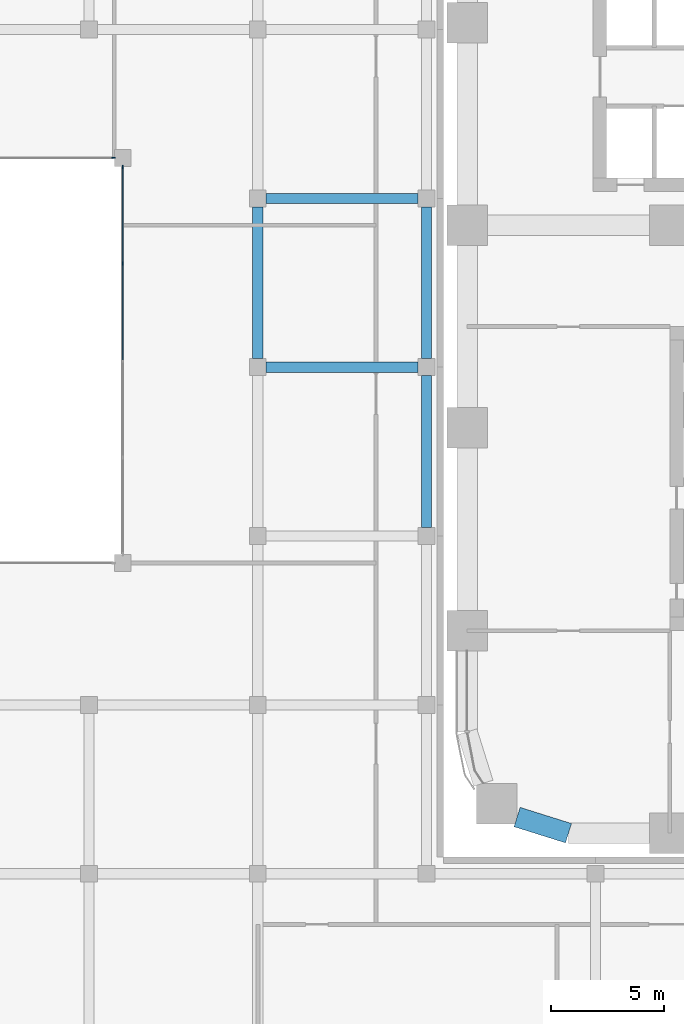
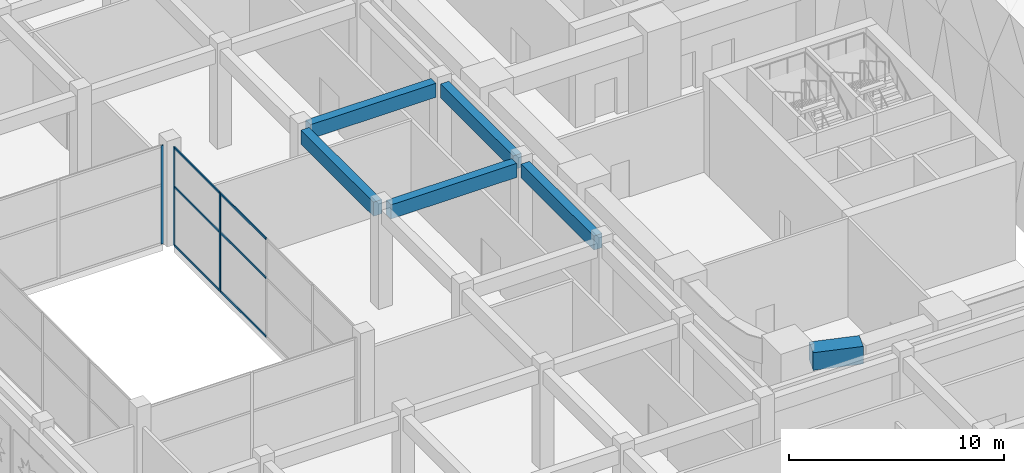
# One storey, part 4 of 46: 9 members, 6 beams, 2 elements without a shape of their own.
"""IFC4 building model written with IfcOpenShell, lengths in metres."""

from ifc_helpers import new_model, si_unit, direction, frame, origin, origin_2d, place, context, subcontext, project, spatial, rectangle, extrude, material, layer, layer_set, material_profile, profile_set, type_object, element, aggregate, save


model = new_model("IFC4")

# Units and contexts
model_context = context("Model", 3, precision=1e-05, world=origin(), true_north=direction((0.0, 1.0)))
body_context = subcontext(model_context, "Body", "Model", "MODEL_VIEW")
ifc_project = project(units=[si_unit("LENGTHUNIT", "METRE"), si_unit("AREAUNIT", "SQUARE_METRE"), si_unit("VOLUMEUNIT", "CUBIC_METRE"), si_unit("PLANEANGLEUNIT", "RADIAN"), si_unit("MASSUNIT", "GRAM", prefix="KILO")], contexts=[model_context])

# Site, building, storey
site_placement = place(None, origin())
site = spatial("IfcSite", under=ifc_project, at=site_placement, CompositionType="ELEMENT")
building_placement = place(site_placement, origin())
building = spatial("IfcBuilding", under=site, at=building_placement, Name="Tessera Arch", CompositionType="ELEMENT")
storey_placement = place(building_placement, frame((0.0, 0.0, 8.0)))
storey = spatial("IfcBuildingStorey", under=building, at=storey_placement, Name="L01", CompositionType="ELEMENT", Elevation=8.0)

# Curtain wall, members
ifc_material_1 = material(Name="Aluminium and clear glass", Category="aluminium")
ifc_layer = layer(ifc_material_1, 0.1201171875)
ifc_layer_set = layer_set([ifc_layer], Name="Courtyard curtain wall")
curtain_wall_type = type_object("IfcCurtainWallType", Name="Courtyard curtain wall", PredefinedType="NOTDEFINED", material=ifc_layer_set)
curtain_wall_1_placement = place(storey_placement, origin())
curtain_wall_1 = element("IfcCurtainWall", 1, at=curtain_wall_1_placement, inside=storey, type_object=curtain_wall_type, Name="Courtyard curtain wall L01 2", PredefinedType="NOTDEFINED")
ifc_material_2 = material(Name="Aluminium alloy anodised", Category="aluminium")
ifc_material_profile_1 = material_profile(ifc_material_2, rectangle(XDim=0.06005859375, YDim=0.14990234375, at=origin_2d()), Name="Courtyard mullion")
ifc_profile_set_1 = profile_set([ifc_material_profile_1], Name="Aluminium alloy anodised")
member_type_1 = type_object("IfcMemberType", Name="Courtyard mullion", PredefinedType="MULLION", material=ifc_profile_set_1)
member_1_placement = place(storey_placement, frame((-15.300048828125, 25.3125, 0.0), z_axis=(0.0, 0.0, 1.0), x_axis=(-1.0, 0.0, 0.0)))
member_1 = element("IfcMember", 2, at=member_1_placement, type_object=member_type_1, Name="MCW1 mullion 4", PredefinedType="MULLION", context=body_context, shape_type="SweptSolid", body=[
    extrude(rectangle(XDim=0.06005859375, YDim=0.14990234375, at=origin_2d()), origin(), (0.0, 0.0, 1.0), 5.590087890625),
])
member_2_placement = place(storey_placement, frame((-15.300048828125, 29.594970703125, 0.0), z_axis=(0.0, 0.0, 1.0), x_axis=(-1.0, 0.0, 0.0)))
member_2 = element("IfcMember", 3, at=member_2_placement, type_object=member_type_1, Name="MCW1 mullion 5", PredefinedType="MULLION", context=body_context, shape_type="SweptSolid", body=[
    extrude(rectangle(XDim=0.06005859375, YDim=0.14990234375, at=origin_2d()), origin(), (0.0, 0.0, 1.0), 5.590087890625),
])

# Curtain wall, member
curtain_wall_2_placement = place(storey_placement, origin())
curtain_wall_2 = element("IfcCurtainWall", 4, at=curtain_wall_2_placement, inside=storey, type_object=curtain_wall_type, Name="Courtyard curtain wall L01 3", PredefinedType="NOTDEFINED")
member_3_placement = place(storey_placement, frame((-15.705078125, 30.0, 0.0), z_axis=(0.0, 0.0, 1.0), x_axis=(0.0, -1.0, 0.0)))
member_3 = element("IfcMember", 5, at=member_3_placement, type_object=member_type_1, Name="MCW1 mullion 1", PredefinedType="MULLION", context=body_context, shape_type="SweptSolid", body=[
    extrude(rectangle(XDim=0.06005859375, YDim=0.14990234375, at=origin_2d()), origin(), (0.0, 0.0, 1.0), 5.590087890625),
])
aggregate(curtain_wall_2, [member_3])

# Member
ifc_material_3 = material(Name="Aluminium alloy anodised", Category="aluminium")
ifc_material_profile_2 = material_profile(ifc_material_3, rectangle(XDim=0.06005859375, YDim=0.1201171875, at=origin_2d()), Name="Courtyard transom")
ifc_profile_set_2 = profile_set([ifc_material_profile_2], Name="Aluminium alloy anodised")
member_type_2 = type_object("IfcMemberType", Name="Courtyard transom", PredefinedType="USERDEFINED", material=ifc_profile_set_2)
member_4_placement = place(storey_placement, frame((-15.300048828125, 21.030029296875, 0.030029296875), z_axis=(0.0, 1.0, 0.0), x_axis=(-1.0, 0.0, 0.0)))
member_4 = element("IfcMember", 6, at=member_4_placement, type_object=member_type_2, Name="MCW1 transom 3.1", ObjectType="TRANSOM", PredefinedType="USERDEFINED", context=body_context, shape_type="SweptSolid", body=[
    extrude(rectangle(XDim=0.06005859375, YDim=0.1201171875, at=origin_2d()), origin(), (0.0, 0.0, 1.0), 4.25244140625),
])

member_5_placement = place(storey_placement, frame((-15.300048828125, 21.030029296875, 3.35400390625), z_axis=(0.0, 1.0, 0.0), x_axis=(-1.0, 0.0, 0.0)))
member_5 = element("IfcMember", 7, at=member_5_placement, type_object=member_type_2, Name="MCW1 transom 3.2", ObjectType="TRANSOM", PredefinedType="USERDEFINED", context=body_context, shape_type="SweptSolid", body=[
    extrude(rectangle(XDim=0.06005859375, YDim=0.1201171875, at=origin_2d()), origin(), (0.0, 0.0, 1.0), 4.25244140625),
])

member_6_placement = place(storey_placement, frame((-15.300048828125, 21.030029296875, 5.56005859375), z_axis=(0.0, 1.0, 0.0), x_axis=(-1.0, 0.0, 0.0)))
member_6 = element("IfcMember", 8, at=member_6_placement, type_object=member_type_2, Name="MCW1 transom 3.3", ObjectType="TRANSOM", PredefinedType="USERDEFINED", context=body_context, shape_type="SweptSolid", body=[
    extrude(rectangle(XDim=0.06005859375, YDim=0.1201171875, at=origin_2d()), origin(), (0.0, 0.0, 1.0), 4.25244140625),
])

member_7_placement = place(storey_placement, frame((-15.300048828125, 25.342529296875, 0.030029296875), z_axis=(0.0, 1.0, 0.0), x_axis=(-1.0, 0.0, 0.0)))
member_7 = element("IfcMember", 9, at=member_7_placement, type_object=member_type_2, Name="MCW1 transom 4.1", ObjectType="TRANSOM", PredefinedType="USERDEFINED", context=body_context, shape_type="SweptSolid", body=[
    extrude(rectangle(XDim=0.06005859375, YDim=0.1201171875, at=origin_2d()), origin(), (0.0, 0.0, 1.0), 4.222412109375),
])

member_8_placement = place(storey_placement, frame((-15.300048828125, 25.342529296875, 3.35400390625), z_axis=(0.0, 1.0, 0.0), x_axis=(-1.0, 0.0, 0.0)))
member_8 = element("IfcMember", 10, at=member_8_placement, type_object=member_type_2, Name="MCW1 transom 4.2", ObjectType="TRANSOM", PredefinedType="USERDEFINED", context=body_context, shape_type="SweptSolid", body=[
    extrude(rectangle(XDim=0.06005859375, YDim=0.1201171875, at=origin_2d()), origin(), (0.0, 0.0, 1.0), 4.222412109375),
])

member_9_placement = place(storey_placement, frame((-15.300048828125, 25.342529296875, 5.56005859375), z_axis=(0.0, 1.0, 0.0), x_axis=(-1.0, 0.0, 0.0)))
member_9 = element("IfcMember", 11, at=member_9_placement, type_object=member_type_2, Name="MCW1 transom 4.3", ObjectType="TRANSOM", PredefinedType="USERDEFINED", context=body_context, shape_type="SweptSolid", body=[
    extrude(rectangle(XDim=0.06005859375, YDim=0.1201171875, at=origin_2d()), origin(), (0.0, 0.0, 1.0), 4.222412109375),
])

aggregate(curtain_wall_1, [member_1, member_2, member_4, member_5, member_6, member_7, member_8, member_9])

# Beams
ifc_material_4 = material(Name="Concrete C40/50", Category="concrete")
ifc_material_profile_3 = material_profile(ifc_material_4, rectangle(XDim=0.449951171875, YDim=0.800048828125, at=origin_2d()), Name="Museum beam 450 x 800 Concrete C40/50")
ifc_profile_set_3 = profile_set([ifc_material_profile_3], Name="Concrete C40/50")
beam_type_1 = type_object("IfcBeamType", Name="Museum beam 450 x 800 Concrete C40/50", PredefinedType="BEAM", material=ifc_profile_set_3)
for number, where, z_axis, x_axis, name in (
    (12, (-9.300048828125, 21.074951171875, 5.18994140625), (0.0, 1.0, 0.0), (-1.0, 0.0, 0.0), "Museum beam L01 29"),
    (13, (-1.800048828125, 13.574951171875, 5.18994140625), (0.0, 1.0, 0.0), (-1.0, 0.0, 0.0), "Museum beam L01 36"),
    (14, (-1.800048828125, 21.074951171875, 5.18994140625), (0.0, 1.0, 0.0), (-1.0, 0.0, 0.0), "Museum beam L01 37"),
    (15, (-8.925048828125, 20.699951171875, 5.18994140625), (1.0, 0.0, 0.0), (0.0, 1.0, 0.0), "Museum beam L01 65"),
    (16, (-8.925048828125, 28.199951171875, 5.18994140625), (1.0, 0.0, 0.0), (0.0, 1.0, 0.0), "Museum beam L01 66"),
):
    element("IfcBeam", number, at=place(storey_placement, frame(where, z_axis=z_axis, x_axis=x_axis)), inside=storey, type_object=beam_type_1, Name=name, PredefinedType="BEAM", context=body_context, shape_type="SweptSolid", body=[
        extrude(rectangle(XDim=0.449951171875, YDim=0.800048828125, at=origin_2d()), origin(), (0.0, 0.0, 1.0), 6.75),
    ])
ifc_material_5 = material(Name="Concrete C80/95", Category="concrete")
ifc_material_profile_4 = material_profile(ifc_material_5, rectangle(XDim=0.89990234375, YDim=1.0, at=origin_2d()), Name="RC spandrel beam 900 x 1000 Concrete C80/95")
ifc_profile_set_4 = profile_set([ifc_material_profile_4], Name="Concrete C80/95")
beam_type_2 = type_object("IfcBeamType", Name="RC spandrel beam 900 x 1000 Concrete C80/95", PredefinedType="BEAM", material=ifc_profile_set_4)
beam_placement = place(storey_placement, frame((2.218017578125, 0.716796875, 5.090087890625), z_axis=(0.954041251279, -0.299675309057, 0.0), x_axis=(0.299675309057, 0.954041251279, 0.0)))
element("IfcBeam", 17, at=beam_placement, inside=storey, type_object=beam_type_2, Name="Spandrel beam L01 S0.0/0.1", PredefinedType="BEAM", context=body_context, shape_type="SweptSolid", body=[
    extrude(rectangle(XDim=0.89990234375, YDim=1.0, at=origin_2d()), origin(), (0.0, 0.0, 1.0), 2.391845703125),
])

save(model, "model.ifc")
